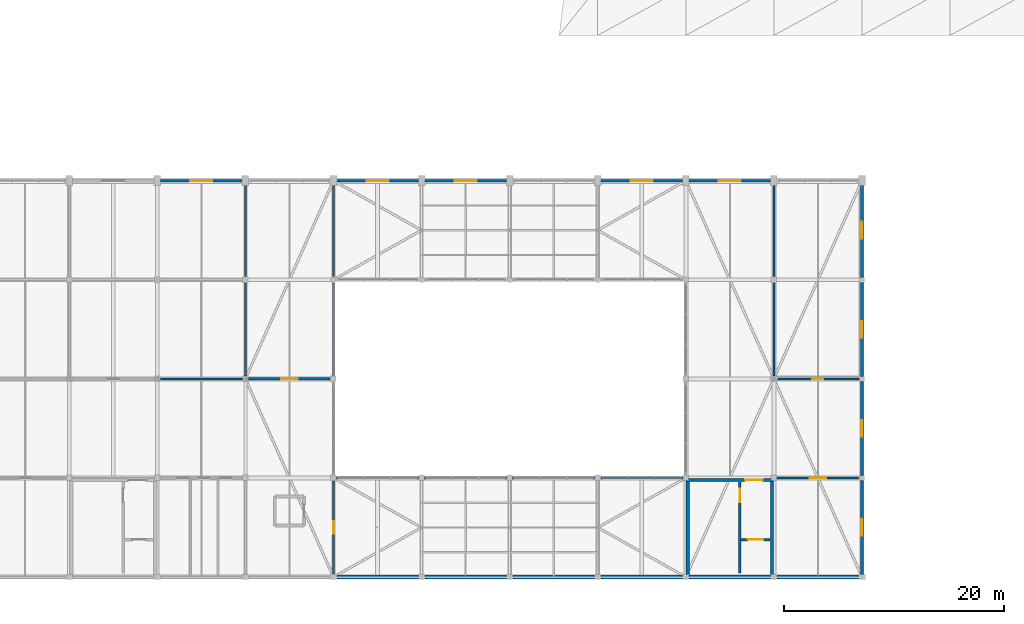
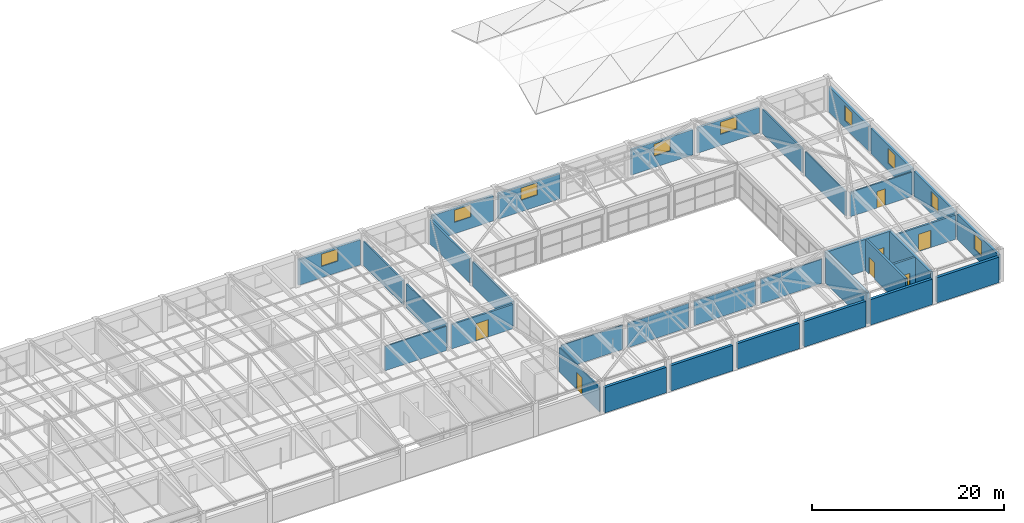
# One storey, part 55 of 65: 35 walls, 9 windows, 7 doors, 16 openings.
"""IFC4 building model written with IfcOpenShell, lengths in metres."""

import ifcopenshell
import ifcopenshell.guid

model = None  # the IFC model being written
_history = None  # IfcOwnerHistory: only IFC2X3 demands one
_inside = {}  # id of a spatial element -> (the spatial element, [elements in it])
_under = {}  # id of a project, library or spatial element -> (it, [spatial elements below it])
_declared = {}  # id of a project -> (the project, [libraries it declares])
_typed = {}  # id of a type object -> (the type object, [elements of that type])
_made_of = {}  # id of a material, layer set ... -> (it, [elements and type objects made of it])


def new_model(schema):
    """Start an empty IFC model of exactly this schema.

    Asked for "IFC4X3", IfcOpenShell would pick the latest addendum, in which some entities
    have other attributes; the version numbers below select the first issue.
    IFC2X3 requires an IfcOwnerHistory on every rooted entity: one is made here for all.
    """
    global model, _history
    if schema == "IFC4X3":
        model = ifcopenshell.file(schema_version=(4, 3, 0, 0))
    else:
        model = ifcopenshell.file(schema=schema)
    _inside.clear()
    _under.clear()
    _declared.clear()
    _typed.clear()
    _made_of.clear()
    _history = None
    if model.schema == "IFC2X3":
        org = make("IfcOrganization", Name="unknown")
        user = make(
            "IfcPersonAndOrganization",
            ThePerson=make("IfcPerson", FamilyName="unknown"),
            TheOrganization=org,
        )
        app = make(
            "IfcApplication",
            ApplicationDeveloper=org,
            Version="unknown",
            ApplicationFullName="unknown",
            ApplicationIdentifier="unknown",
        )
        _history = make(
            "IfcOwnerHistory",
            OwningUser=user,
            OwningApplication=app,
            ChangeAction="ADDED",
            CreationDate=0,
        )
    return model


def make(cls, **values):
    """One entity of the class cls with the attributes given. An attribute that is None is left unset."""
    return model.create_entity(
        cls, **{name: value for name, value in values.items() if value is not None}
    )


def rooted(cls, **values):
    """An entity with a GlobalId (a new one), such as an element, a storey or a relation."""
    return make(cls, GlobalId=ifcopenshell.guid.new(), OwnerHistory=_history, **values)


def si_unit(unit_type, name, prefix=None):
    """IfcSIUnit, for example si_unit("LENGTHUNIT", "METRE", prefix="MILLI")."""
    return make("IfcSIUnit", UnitType=unit_type, Prefix=prefix, Name=name)


def assignment(units):
    """IfcUnitAssignment: the units of a project."""
    return None if units is None else make("IfcUnitAssignment", Units=units)


def point(xyz):
    """IfcCartesianPoint."""
    return None if xyz is None else make("IfcCartesianPoint", Coordinates=xyz)


def direction(xyz):
    """IfcDirection."""
    return None if xyz is None else make("IfcDirection", DirectionRatios=xyz)


def frame(location, z_axis=None, x_axis=None):
    """IfcAxis2Placement3D, a coordinate frame: its origin and axes. An axis left out is left unset."""
    return make(
        "IfcAxis2Placement3D",
        Location=point(location),
        Axis=direction(z_axis),
        RefDirection=direction(x_axis),
    )


def frame_2d(location, x_axis=None):
    """IfcAxis2Placement2D, a coordinate frame in the plane: its origin and x axis."""
    return make(
        "IfcAxis2Placement2D", Location=point(location), RefDirection=direction(x_axis)
    )


def origin():
    """The frame at (0, 0, 0) with its axes left unset."""
    return frame((0.0, 0.0, 0.0))


def place(relative_to, where):
    """IfcLocalPlacement: puts the frame where relative to a parent placement (None: the world)."""
    return make(
        "IfcLocalPlacement", PlacementRelTo=relative_to, RelativePlacement=where
    )


def context(
    kind, dimensions, precision=None, world=None, true_north=None, identifier=None
):
    """IfcGeometricRepresentationContext, for example the 3D "Model" context."""
    return make(
        "IfcGeometricRepresentationContext",
        ContextIdentifier=identifier,
        ContextType=kind,
        CoordinateSpaceDimension=dimensions,
        Precision=precision,
        WorldCoordinateSystem=world,
        TrueNorth=true_north,
    )


def subcontext(parent, identifier, kind, view, scale=None):
    """IfcGeometricRepresentationSubContext, for example "Body" below "Model"."""
    return make(
        "IfcGeometricRepresentationSubContext",
        ContextIdentifier=identifier,
        ContextType=kind,
        ParentContext=parent,
        TargetScale=scale,
        TargetView=view,
    )


def project(units=None, contexts=None):
    """IfcProject with its units and contexts."""
    return rooted(
        "IfcProject",
        Name="project",
        RepresentationContexts=contexts,
        UnitsInContext=assignment(units),
    )


def spatial(cls, under=None, at=None, **own):
    """A site, building, storey or space (cls), placed at a placement, below another one or the project."""
    s = rooted(cls, ObjectPlacement=at, **own)
    if under is not None:
        _under.setdefault(under.id(), (under, []))[1].append(s)
    return s


def profile(cls, at=None, kind="AREA", **sizes):
    """A parametric profile (cls). Its sizes go by their IFC names, for example OverallWidth=200.0."""
    return make(cls, ProfileType=kind, Position=at, **sizes)


def rectangle(**sizes):
    """IfcRectangleProfileDef."""
    return profile("IfcRectangleProfileDef", **sizes)


def extrude(swept, where, along, depth):
    """IfcExtrudedAreaSolid: the profile swept, set in the frame where, extruded along a direction by depth."""
    return make(
        "IfcExtrudedAreaSolid",
        SweptArea=swept,
        Position=where,
        ExtrudedDirection=direction(along),
        Depth=depth,
    )


def shape(context_of_items, identifier, shape_type, items):
    """IfcShapeRepresentation: the items that make up one representation, for example the "Body"."""
    return make(
        "IfcShapeRepresentation",
        ContextOfItems=context_of_items,
        RepresentationIdentifier=identifier,
        RepresentationType=shape_type,
        Items=items,
    )


def material(Name=None, Category=None):
    """IfcMaterial."""
    return make("IfcMaterial", Name=Name, Category=Category)


def layer(
    of_material, thickness, ventilated=None, Name=None, Category=None, Priority=None
):
    """IfcMaterialLayer: one layer of a wall or slab, of a material (None: an air gap)."""
    return make(
        "IfcMaterialLayer",
        Material=of_material,
        LayerThickness=thickness,
        IsVentilated=ventilated,
        Name=Name,
        Category=Category,
        Priority=Priority,
    )


def layer_set(layers, Name=None):
    """IfcMaterialLayerSet."""
    return make("IfcMaterialLayerSet", MaterialLayers=layers, LayerSetName=Name)


def made_of(thing, what):
    """Note that an element or type object is made of a material, layer set ...; save() writes the relation."""
    if what is not None:
        _made_of.setdefault(what.id(), (what, []))[1].append(thing)
    return thing


def type_object(cls, material=None, **own):
    """A type object (cls), such as IfcWallType, which elements share."""
    return made_of(rooted(cls, **own), material)


def element(
    cls,
    number,
    at=None,
    inside=None,
    cuts=None,
    type_object=None,
    material=None,
    context=None,
    identifier="Body",
    shape_type=None,
    held_by="IfcProductDefinitionShape",
    body=None,
    shapes=None,
    **own,
):
    """One element of the class cls, such as IfcWall. Its Tag is "e" and its number.

    at: its placement. inside: the storey or other place that contains it. cuts: it is an
    opening in that element (IfcRelVoidsElement). A single representation is given by context,
    identifier, shape_type and body (its items); several are given by shapes. held_by: the class
    of the entity that holds the representations. save() writes the other relations.
    """
    e = rooted(cls, Tag="e%d" % number, ObjectPlacement=at, **own)
    if body is not None:
        shapes = [shape(context, identifier, shape_type, body)]
    if shapes is not None:
        e.Representation = make(held_by, Representations=shapes)
    if inside is not None:
        _inside.setdefault(inside.id(), (inside, []))[1].append(e)
    if cuts is not None:
        rooted(
            "IfcRelVoidsElement", RelatingBuildingElement=cuts, RelatedOpeningElement=e
        )
    if type_object is not None:
        _typed.setdefault(type_object.id(), (type_object, []))[1].append(e)
    return made_of(e, material)


def fill(opening, filler):
    """IfcRelFillsElement: the door or window that sits in an opening."""
    return rooted(
        "IfcRelFillsElement",
        RelatingOpeningElement=opening,
        RelatedBuildingElement=filler,
    )


def aggregate(whole, parts):
    """IfcRelAggregates: a whole, such as a stair, and the parts it consists of."""
    return rooted("IfcRelAggregates", RelatingObject=whole, RelatedObjects=parts)


def save(model, path):
    """Write the relations noted so far, then the file.

    IfcRelAggregates (storeys below a building ...), IfcRelContainedInSpatialStructure (elements
    in a storey), IfcRelDefinesByType, IfcRelAssociatesMaterial and IfcRelDeclares: one each for
    every whole, place, type object, material and project.
    """
    for whole, parts in _under.values():
        aggregate(whole, parts)
    for where, things in _inside.values():
        rooted(
            "IfcRelContainedInSpatialStructure",
            RelatedElements=things,
            RelatingStructure=where,
        )
    for kind, things in _typed.values():
        rooted("IfcRelDefinesByType", RelatedObjects=things, RelatingType=kind)
    for what, things in _made_of.values():
        rooted("IfcRelAssociatesMaterial", RelatedObjects=things, RelatingMaterial=what)
    for by, libraries in _declared.values():
        rooted("IfcRelDeclares", RelatingContext=by, RelatedDefinitions=libraries)
    model.write(path)


model = new_model("IFC4")

# Units and contexts
model_context = context("Model", 3, precision=1e-05, world=origin(), true_north=direction((0.0, 1.0)))
body_context = subcontext(model_context, "Body", "Model", "MODEL_VIEW")
ifc_project = project(units=[si_unit("LENGTHUNIT", "METRE"), si_unit("AREAUNIT", "SQUARE_METRE"), si_unit("VOLUMEUNIT", "CUBIC_METRE"), si_unit("PLANEANGLEUNIT", "RADIAN"), si_unit("MASSUNIT", "GRAM", prefix="KILO")], contexts=[model_context])

# Site, building, storey
site_placement = place(None, origin())
site = spatial("IfcSite", under=ifc_project, at=site_placement, CompositionType="ELEMENT")
building_placement = place(site_placement, origin())
building = spatial("IfcBuilding", under=site, at=building_placement, Name="Varnabhumi Central Station", CompositionType="ELEMENT")
storey_placement = place(building_placement, frame((0.0, 0.0, 24.60009765625)))
storey = spatial("IfcBuildingStorey", under=building, at=storey_placement, Name="L05", CompositionType="ELEMENT", Elevation=24.60009765625)

# Wall, opening, door
ifc_material_1 = material(Name="Autoclaved aerated blockwork masonry", Category="masonry")
ifc_layer_1 = layer(ifc_material_1, 0.219970703125, Name="Autoclaved aerated blockwork masonry", Category="masonry")
ifc_layer_set_1 = layer_set([ifc_layer_1], Name="Autoclaved aerated blockwork masonry")
wall_type_1 = type_object("IfcWallType", Name="WAL-COMP-AAC-220", PredefinedType="SOLIDWALL", material=ifc_layer_set_1)
wall_1_placement = place(storey_placement, frame((104.300048828125, 18.0, 0.0), z_axis=(0.0, 0.0, 1.0), x_axis=(1.0, 0.0, 0.0)))
wall_1 = element("IfcWall", 1, at=wall_1_placement, inside=storey, type_object=wall_type_1, Name="Rooftop Solar Inverter and BMS Control Room Corridor Partition 1", PredefinedType="SOLIDWALL", context=body_context, shape_type="SweptSolid", body=[
    extrude(rectangle(XDim=7.39990234375, YDim=0.219970703125, at=frame_2d((3.699951171875, 0.0))), origin(), (0.0, 0.0, 1.0), 3.099853515625),
])
opening_1_placement = place(wall_1_placement, frame((2.949951171875, 0.0, 0.0)))
opening_1 = element("IfcOpeningElement", 2, at=opening_1_placement, cuts=wall_1, Name="Opening FD-PLT", PredefinedType="OPENING", context=body_context, shape_type="SweptSolid", body=[
    extrude(rectangle(XDim=1.5, YDim=2.199951171875, at=frame_2d((0.75, 1.10009765625))), frame((0.0, 0.119873046875, 0.0), z_axis=(0.0, -1.0, 0.0), x_axis=(1.0, 0.0, 0.0)), (0.0, 0.0, 1.0), 0.239990234375),
])
ifc_material_2 = material(Name="Stainless steel Grade 316", Category="steel")
door_type_1 = type_object("IfcDoorType", Name="DR-PLANT-1500", OperationType="NOTDEFINED", PredefinedType="DOOR", material=ifc_material_2)
door_1_placement = place(opening_1_placement, frame((1.5, 0.0, 0.0), z_axis=(0.0, 0.0, 1.0), x_axis=(-1.0, 0.0, 0.0)))
door_1 = element("IfcDoor", 3, at=door_1_placement, inside=storey, type_object=door_type_1, Name="Rooftop Solar Inverter and BMS Control Room Door 1", OperationType="SINGLE_SWING_LEFT", OverallHeight=2.199951171875, OverallWidth=1.5, PredefinedType="DOOR", context=body_context, shape_type="SweptSolid", body=[
    extrude(rectangle(XDim=1.5, YDim=2.199951171875, at=frame_2d((0.75, 1.10009765625))), frame((0.0, 0.02490234375, 0.0), z_axis=(0.0, -1.0, 0.0), x_axis=(1.0, 0.0, 0.0)), (0.0, 0.0, 1.0), 0.050048828125),
])
fill(opening_1, door_1)

# Walls
for number, where, z_axis, x_axis, name in (
    (4, (112.0, 18.300048828125, 0.0), (0.0, 0.0, 1.0), (0.0, 1.0, 0.0), "Rooftop Solar Inverter and BMS Control Room W Partition 1"),
    (5, (112.0, 27.300048828125, 0.0), (0.0, 0.0, 1.0), (0.0, 1.0, 0.0), "Rooftop Solar Inverter and BMS Control Room W Partition 2"),
):
    element("IfcWall", number, at=place(storey_placement, frame(where, z_axis=z_axis, x_axis=x_axis)), inside=storey, type_object=wall_type_1, Name=name, PredefinedType="SOLIDWALL", context=body_context, shape_type="SweptSolid", body=[
        extrude(rectangle(XDim=8.39990234375, YDim=0.219970703125, at=frame_2d((4.199951171875, 0.0))), origin(), (0.0, 0.0, 1.0), 3.099853515625),
    ])

# Wall, opening, door
wall_2_placement = place(storey_placement, frame((152.300048828125, 9.0, 0.0), z_axis=(0.0, 0.0, 1.0), x_axis=(1.0, 0.0, 0.0)))
wall_2 = element("IfcWall", 6, at=wall_2_placement, inside=storey, type_object=wall_type_1, Name="Central Water-Cooled Chiller Plant Room Corridor Partition 1", PredefinedType="SOLIDWALL", context=body_context, shape_type="SweptSolid", body=[
    extrude(rectangle(XDim=7.39990234375, YDim=0.219970703125, at=frame_2d((3.699951171875, 0.0))), origin(), (0.0, 0.0, 1.0), 3.099853515625),
])
opening_2_placement = place(wall_2_placement, frame((2.949951171875, 0.0, 0.0)))
opening_2 = element("IfcOpeningElement", 7, at=opening_2_placement, cuts=wall_2, Name="Opening FD-PLT", PredefinedType="OPENING", context=body_context, shape_type="SweptSolid", body=[
    extrude(rectangle(XDim=1.5, YDim=2.199951171875, at=frame_2d((0.75, 1.10009765625))), frame((0.0, 0.119873046875, 0.0), z_axis=(0.0, -1.0, 0.0), x_axis=(1.0, 0.0, 0.0)), (0.0, 0.0, 1.0), 0.239990234375),
])
door_2_placement = place(opening_2_placement, origin())
door_2 = element("IfcDoor", 8, at=door_2_placement, inside=storey, type_object=door_type_1, Name="Central Water-Cooled Chiller Plant Room Door 1", OperationType="SINGLE_SWING_RIGHT", OverallHeight=2.199951171875, OverallWidth=1.5, PredefinedType="DOOR", context=body_context, shape_type="SweptSolid", body=[
    extrude(rectangle(XDim=1.5, YDim=2.199951171875, at=frame_2d((0.75, 1.10009765625))), frame((0.0, 0.02490234375, 0.0), z_axis=(0.0, -1.0, 0.0), x_axis=(1.0, 0.0, 0.0)), (0.0, 0.0, 1.0), 0.050048828125),
])
fill(opening_2, door_2)

# Walls
ifc_material_3 = material(Name="Concrete M40", Category="concrete")
ifc_layer_2 = layer(ifc_material_3, 0.300048828125, Name="Concrete M40", Category="concrete")
ifc_layer_set_2 = layer_set([ifc_layer_2], Name="Concrete M40")
wall_type_2 = type_object("IfcWallType", Name="WAL-CORE-RC-300", PredefinedType="SHEAR", material=ifc_layer_set_2)
for number, where, z_axis, x_axis, name in (
    (9, (144.179931640625, 0.179931640625, 0.0), (0.0, 0.0, 1.0), (0.0, 1.0, 0.0), "SC3 L05 West Shear Wall"),
    (10, (151.820068359375, 0.179931640625, 0.0), (0.0, 0.0, 1.0), (0.0, 1.0, 0.0), "SC3 L05 East Shear Wall"),
):
    element("IfcWall", number, at=place(storey_placement, frame(where, z_axis=z_axis, x_axis=x_axis)), inside=storey, type_object=wall_type_2, Name=name, PredefinedType="SHEAR", context=body_context, shape_type="SweptSolid", body=[
        extrude(rectangle(XDim=8.64013671875, YDim=0.300048828125, at=frame_2d((4.320068359375, 0.0))), origin(), (0.0, 0.0, 1.0), 3.97998046875),
    ])

# Wall, opening, door
wall_3_placement = place(storey_placement, frame((144.030029296875, 8.820068359375, 0.0), z_axis=(0.0, 0.0, 1.0), x_axis=(1.0, 0.0, 0.0)))
wall_3 = element("IfcWall", 11, at=wall_3_placement, inside=storey, type_object=wall_type_2, Name="SC3 L05 Corridor Shear Wall", PredefinedType="SHEAR", context=body_context, shape_type="SweptSolid", body=[
    extrude(rectangle(XDim=7.93994140625, YDim=0.300048828125, at=frame_2d((3.969970703125, 0.0))), origin(), (0.0, 0.0, 1.0), 3.97998046875),
])
opening_3_placement = place(wall_3_placement, frame((5.35009765625, 0.0, 0.0)))
opening_3 = element("IfcOpeningElement", 12, at=opening_3_placement, cuts=wall_3, Name="Opening FD-60D", PredefinedType="OPENING", context=body_context, shape_type="SweptSolid", body=[
    extrude(rectangle(XDim=1.60009765625, YDim=2.14990234375, at=frame_2d((0.800048828125, 1.074951171875))), frame((0.0, 0.159912109375, 0.0), z_axis=(0.0, -1.0, 0.0), x_axis=(1.0, 0.0, 0.0)), (0.0, 0.0, 1.0), 0.320068359375),
])
ifc_material_4 = material(Name="Intumescent-treated hardwood timber", Category="wood")
door_type_2 = type_object("IfcDoorType", Name="DR-FIRE-60-1600", OperationType="NOTDEFINED", PredefinedType="DOOR", material=ifc_material_4)
door_3_placement = place(opening_3_placement, origin())
door_3 = element("IfcDoor", 13, at=door_3_placement, inside=storey, type_object=door_type_2, Name="SC3 L05 Lobby Fire Door", OperationType="DOUBLE_DOOR_SINGLE_SWING", OverallHeight=2.14990234375, OverallWidth=1.60009765625, PredefinedType="DOOR", context=body_context, shape_type="SweptSolid", body=[
    extrude(rectangle(XDim=1.60009765625, YDim=2.14990234375, at=frame_2d((0.800048828125, 1.074951171875))), frame((0.0, 0.02490234375, 0.0), z_axis=(0.0, -1.0, 0.0), x_axis=(1.0, 0.0, 0.0)), (0.0, 0.0, 1.0), 0.050048828125),
])
fill(opening_3, door_3)

# Wall, opening, window
ifc_layer_3 = layer(ifc_material_1, 0.260009765625, Name="Autoclaved aerated blockwork masonry", Category="masonry")
ifc_layer_set_3 = layer_set([ifc_layer_3], Name="Autoclaved aerated blockwork masonry")
wall_type_3 = type_object("IfcWallType", Name="WAL-EXT-STUCCO-260", PredefinedType="SOLIDWALL", material=ifc_layer_set_3)
wall_4_placement = place(storey_placement, frame((96.294921875, 36.0, 0.0), z_axis=(0.0, 0.0, 1.0), x_axis=(1.0, 0.0, 0.0)))
wall_4 = element("IfcWall", 14, at=wall_4_placement, inside=storey, type_object=wall_type_3, Name="South Spine Wall L05-9", PredefinedType="SOLIDWALL", context=body_context, shape_type="SweptSolid", body=[
    extrude(rectangle(XDim=7.41015625, YDim=0.260009765625, at=frame_2d((3.705078125, 0.0))), origin(), (0.0, 0.0, 1.0), 3.239990234375),
])
opening_4_placement = place(wall_4_placement, frame((2.705078125, 0.0, 1.449951171875)))
opening_4 = element("IfcOpeningElement", 15, at=opening_4_placement, cuts=wall_4, Name="Opening W-06", PredefinedType="OPENING", context=body_context, shape_type="SweptSolid", body=[
    extrude(rectangle(XDim=2.0, YDim=1.550048828125, at=frame_2d((1.0, 0.77490234375))), frame((0.0, 0.139892578125, 0.0), z_axis=(0.0, -1.0, 0.0), x_axis=(1.0, 0.0, 0.0)), (0.0, 0.0, 1.0), 0.280029296875),
])
ifc_material_5 = material(Name="Laminated low-E double glazing", Category="glass")
window_type_1 = type_object("IfcWindowType", Name="WIN-OPS-2000x1900", PartitioningType="DOUBLE_PANEL_VERTICAL", PredefinedType="WINDOW", material=ifc_material_5)
window_1_placement = place(opening_4_placement, origin())
window_1 = element("IfcWindow", 16, at=window_1_placement, inside=storey, type_object=window_type_1, Name="South Spine Overlook Window L05-9", OverallHeight=1.550048828125, OverallWidth=2.0, PartitioningType="SINGLE_PANEL", PredefinedType="WINDOW", context=body_context, shape_type="SweptSolid", body=[
    extrude(rectangle(XDim=2.0, YDim=1.550048828125, at=frame_2d((1.0, 0.77490234375))), frame((0.0, 0.030029296875, 0.0), z_axis=(0.0, -1.0, 0.0), x_axis=(1.0, 0.0, 0.0)), (0.0, 0.0, 1.0), 0.06005859375),
])
fill(opening_4, window_1)

wall_5_placement = place(storey_placement, frame((112.294921875, 36.0, 0.0), z_axis=(0.0, 0.0, 1.0), x_axis=(1.0, 0.0, 0.0)))
wall_5 = element("IfcWall", 17, at=wall_5_placement, inside=storey, type_object=wall_type_3, Name="South Spine Wall L05-11", PredefinedType="SOLIDWALL", context=body_context, shape_type="SweptSolid", body=[
    extrude(rectangle(XDim=7.41015625, YDim=0.260009765625, at=frame_2d((3.705078125, 0.0))), origin(), (0.0, 0.0, 1.0), 3.239990234375),
])
opening_5_placement = place(wall_5_placement, frame((2.705078125, 0.0, 1.449951171875)))
opening_5 = element("IfcOpeningElement", 18, at=opening_5_placement, cuts=wall_5, Name="Opening W-06", PredefinedType="OPENING", context=body_context, shape_type="SweptSolid", body=[
    extrude(rectangle(XDim=2.0, YDim=1.550048828125, at=frame_2d((1.0, 0.77490234375))), frame((0.0, 0.139892578125, 0.0), z_axis=(0.0, -1.0, 0.0), x_axis=(1.0, 0.0, 0.0)), (0.0, 0.0, 1.0), 0.280029296875),
])
window_2_placement = place(opening_5_placement, origin())
window_2 = element("IfcWindow", 19, at=window_2_placement, inside=storey, type_object=window_type_1, Name="South Spine Overlook Window L05-11", OverallHeight=1.550048828125, OverallWidth=2.0, PartitioningType="SINGLE_PANEL", PredefinedType="WINDOW", context=body_context, shape_type="SweptSolid", body=[
    extrude(rectangle(XDim=2.0, YDim=1.550048828125, at=frame_2d((1.0, 0.77490234375))), frame((0.0, 0.030029296875, 0.0), z_axis=(0.0, -1.0, 0.0), x_axis=(1.0, 0.0, 0.0)), (0.0, 0.0, 1.0), 0.06005859375),
])
fill(opening_5, window_2)

wall_6_placement = place(storey_placement, frame((120.294921875, 36.0, 0.0), z_axis=(0.0, 0.0, 1.0), x_axis=(1.0, 0.0, 0.0)))
wall_6 = element("IfcWall", 20, at=wall_6_placement, inside=storey, type_object=wall_type_3, Name="South Spine Wall L05-12", PredefinedType="SOLIDWALL", context=body_context, shape_type="SweptSolid", body=[
    extrude(rectangle(XDim=7.41015625, YDim=0.260009765625, at=frame_2d((3.705078125, 0.0))), origin(), (0.0, 0.0, 1.0), 3.239990234375),
])
opening_6_placement = place(wall_6_placement, frame((2.705078125, 0.0, 1.449951171875)))
opening_6 = element("IfcOpeningElement", 21, at=opening_6_placement, cuts=wall_6, Name="Opening W-06", PredefinedType="OPENING", context=body_context, shape_type="SweptSolid", body=[
    extrude(rectangle(XDim=2.0, YDim=1.550048828125, at=frame_2d((1.0, 0.77490234375))), frame((0.0, 0.139892578125, 0.0), z_axis=(0.0, -1.0, 0.0), x_axis=(1.0, 0.0, 0.0)), (0.0, 0.0, 1.0), 0.280029296875),
])
window_3_placement = place(opening_6_placement, origin())
window_3 = element("IfcWindow", 22, at=window_3_placement, inside=storey, type_object=window_type_1, Name="South Spine Overlook Window L05-12", OverallHeight=1.550048828125, OverallWidth=2.0, PartitioningType="SINGLE_PANEL", PredefinedType="WINDOW", context=body_context, shape_type="SweptSolid", body=[
    extrude(rectangle(XDim=2.0, YDim=1.550048828125, at=frame_2d((1.0, 0.77490234375))), frame((0.0, 0.030029296875, 0.0), z_axis=(0.0, -1.0, 0.0), x_axis=(1.0, 0.0, 0.0)), (0.0, 0.0, 1.0), 0.06005859375),
])
fill(opening_6, window_3)

wall_7_placement = place(storey_placement, frame((136.294921875, 36.0, 0.0), z_axis=(0.0, 0.0, 1.0), x_axis=(1.0, 0.0, 0.0)))
wall_7 = element("IfcWall", 23, at=wall_7_placement, inside=storey, type_object=wall_type_3, Name="South Spine Wall L05-14", PredefinedType="SOLIDWALL", context=body_context, shape_type="SweptSolid", body=[
    extrude(rectangle(XDim=7.41015625, YDim=0.260009765625, at=frame_2d((3.705078125, 0.0))), origin(), (0.0, 0.0, 1.0), 3.239990234375),
])
opening_7_placement = place(wall_7_placement, frame((2.705078125, 0.0, 1.449951171875)))
opening_7 = element("IfcOpeningElement", 24, at=opening_7_placement, cuts=wall_7, Name="Opening W-06", PredefinedType="OPENING", context=body_context, shape_type="SweptSolid", body=[
    extrude(rectangle(XDim=2.0, YDim=1.550048828125, at=frame_2d((1.0, 0.77490234375))), frame((0.0, 0.139892578125, 0.0), z_axis=(0.0, -1.0, 0.0), x_axis=(1.0, 0.0, 0.0)), (0.0, 0.0, 1.0), 0.280029296875),
])
window_4_placement = place(opening_7_placement, origin())
window_4 = element("IfcWindow", 25, at=window_4_placement, inside=storey, type_object=window_type_1, Name="South Spine Overlook Window L05-14", OverallHeight=1.550048828125, OverallWidth=2.0, PartitioningType="SINGLE_PANEL", PredefinedType="WINDOW", context=body_context, shape_type="SweptSolid", body=[
    extrude(rectangle(XDim=2.0, YDim=1.550048828125, at=frame_2d((1.0, 0.77490234375))), frame((0.0, 0.030029296875, 0.0), z_axis=(0.0, -1.0, 0.0), x_axis=(1.0, 0.0, 0.0)), (0.0, 0.0, 1.0), 0.06005859375),
])
fill(opening_7, window_4)

wall_8_placement = place(storey_placement, frame((144.294921875, 36.0, 0.0), z_axis=(0.0, 0.0, 1.0), x_axis=(1.0, 0.0, 0.0)))
wall_8 = element("IfcWall", 26, at=wall_8_placement, inside=storey, type_object=wall_type_3, Name="South Spine Wall L05-15", PredefinedType="SOLIDWALL", context=body_context, shape_type="SweptSolid", body=[
    extrude(rectangle(XDim=7.41015625, YDim=0.260009765625, at=frame_2d((3.705078125, 0.0))), origin(), (0.0, 0.0, 1.0), 3.239990234375),
])
opening_8_placement = place(wall_8_placement, frame((2.705078125, 0.0, 1.449951171875)))
opening_8 = element("IfcOpeningElement", 27, at=opening_8_placement, cuts=wall_8, Name="Opening W-06", PredefinedType="OPENING", context=body_context, shape_type="SweptSolid", body=[
    extrude(rectangle(XDim=2.0, YDim=1.550048828125, at=frame_2d((1.0, 0.77490234375))), frame((0.0, 0.139892578125, 0.0), z_axis=(0.0, -1.0, 0.0), x_axis=(1.0, 0.0, 0.0)), (0.0, 0.0, 1.0), 0.280029296875),
])
window_5_placement = place(opening_8_placement, origin())
window_5 = element("IfcWindow", 28, at=window_5_placement, inside=storey, type_object=window_type_1, Name="South Spine Overlook Window L05-15", OverallHeight=1.550048828125, OverallWidth=2.0, PartitioningType="SINGLE_PANEL", PredefinedType="WINDOW", context=body_context, shape_type="SweptSolid", body=[
    extrude(rectangle(XDim=2.0, YDim=1.550048828125, at=frame_2d((1.0, 0.77490234375))), frame((0.0, 0.030029296875, 0.0), z_axis=(0.0, -1.0, 0.0), x_axis=(1.0, 0.0, 0.0)), (0.0, 0.0, 1.0), 0.06005859375),
])
fill(opening_8, window_5)

wall_9_placement = place(storey_placement, frame((160.0, 0.219970703125, 0.0), z_axis=(0.0, 0.0, 1.0), x_axis=(0.0, 1.0, 0.0)))
wall_9 = element("IfcWall", 29, at=wall_9_placement, inside=storey, type_object=wall_type_3, Name="South Wing W End Wall L05-1", PredefinedType="SOLIDWALL", context=body_context, shape_type="SweptSolid", body=[
    extrude(rectangle(XDim=8.56005859375, YDim=0.260009765625, at=frame_2d((4.280029296875, 0.0))), origin(), (0.0, 0.0, 1.0), 3.239990234375),
])
opening_9_placement = place(wall_9_placement, frame((3.530029296875, 0.0, 0.949951171875)))
opening_9 = element("IfcOpeningElement", 30, at=opening_9_placement, cuts=wall_9, Name="Opening W-07", PredefinedType="OPENING", context=body_context, shape_type="SweptSolid", body=[
    extrude(rectangle(XDim=1.5, YDim=1.89990234375, at=frame_2d((0.75, 0.949951171875))), frame((0.0, 0.139892578125, 0.0), z_axis=(0.0, -1.0, 0.0), x_axis=(1.0, 0.0, 0.0)), (0.0, 0.0, 1.0), 0.280029296875),
])
window_type_2 = type_object("IfcWindowType", Name="WIN-OPS-1500x1900", PartitioningType="SINGLE_PANEL", PredefinedType="WINDOW", material=ifc_material_5)
window_6_placement = place(opening_9_placement, origin())
window_6 = element("IfcWindow", 31, at=window_6_placement, inside=storey, type_object=window_type_2, Name="South W Window L05-1", OverallHeight=1.89990234375, OverallWidth=1.5, PartitioningType="SINGLE_PANEL", PredefinedType="WINDOW", context=body_context, shape_type="SweptSolid", body=[
    extrude(rectangle(XDim=1.5, YDim=1.89990234375, at=frame_2d((0.75, 0.949951171875))), frame((0.0, 0.030029296875, 0.0), z_axis=(0.0, -1.0, 0.0), x_axis=(1.0, 0.0, 0.0)), (0.0, 0.0, 1.0), 0.06005859375),
])
fill(opening_9, window_6)

wall_10_placement = place(storey_placement, frame((160.0, 9.219970703125, 0.0), z_axis=(0.0, 0.0, 1.0), x_axis=(0.0, 1.0, 0.0)))
wall_10 = element("IfcWall", 32, at=wall_10_placement, inside=storey, type_object=wall_type_3, Name="South Wing W End Wall L05-2", PredefinedType="SOLIDWALL", context=body_context, shape_type="SweptSolid", body=[
    extrude(rectangle(XDim=8.56005859375, YDim=0.260009765625, at=frame_2d((4.280029296875, 0.0))), origin(), (0.0, 0.0, 1.0), 3.239990234375),
])
opening_10_placement = place(wall_10_placement, frame((3.530029296875, 0.0, 0.949951171875)))
opening_10 = element("IfcOpeningElement", 33, at=opening_10_placement, cuts=wall_10, Name="Opening W-07", PredefinedType="OPENING", context=body_context, shape_type="SweptSolid", body=[
    extrude(rectangle(XDim=1.5, YDim=1.89990234375, at=frame_2d((0.75, 0.949951171875))), frame((0.0, 0.139892578125, 0.0), z_axis=(0.0, -1.0, 0.0), x_axis=(1.0, 0.0, 0.0)), (0.0, 0.0, 1.0), 0.280029296875),
])
window_7_placement = place(opening_10_placement, origin())
window_7 = element("IfcWindow", 34, at=window_7_placement, inside=storey, type_object=window_type_2, Name="South W Window L05-2", OverallHeight=1.89990234375, OverallWidth=1.5, PartitioningType="SINGLE_PANEL", PredefinedType="WINDOW", context=body_context, shape_type="SweptSolid", body=[
    extrude(rectangle(XDim=1.5, YDim=1.89990234375, at=frame_2d((0.75, 0.949951171875))), frame((0.0, 0.030029296875, 0.0), z_axis=(0.0, -1.0, 0.0), x_axis=(1.0, 0.0, 0.0)), (0.0, 0.0, 1.0), 0.06005859375),
])
fill(opening_10, window_7)

wall_11_placement = place(storey_placement, frame((160.0, 18.219970703125, 0.0), z_axis=(0.0, 0.0, 1.0), x_axis=(0.0, 1.0, 0.0)))
wall_11 = element("IfcWall", 35, at=wall_11_placement, inside=storey, type_object=wall_type_3, Name="South Wing W End Wall L05-3", PredefinedType="SOLIDWALL", context=body_context, shape_type="SweptSolid", body=[
    extrude(rectangle(XDim=8.56005859375, YDim=0.260009765625, at=frame_2d((4.280029296875, 0.0))), origin(), (0.0, 0.0, 1.0), 3.239990234375),
])
opening_11_placement = place(wall_11_placement, frame((3.530029296875, 0.0, 0.949951171875)))
opening_11 = element("IfcOpeningElement", 36, at=opening_11_placement, cuts=wall_11, Name="Opening W-07", PredefinedType="OPENING", context=body_context, shape_type="SweptSolid", body=[
    extrude(rectangle(XDim=1.5, YDim=1.89990234375, at=frame_2d((0.75, 0.949951171875))), frame((0.0, 0.139892578125, 0.0), z_axis=(0.0, -1.0, 0.0), x_axis=(1.0, 0.0, 0.0)), (0.0, 0.0, 1.0), 0.280029296875),
])
window_8_placement = place(opening_11_placement, origin())
window_8 = element("IfcWindow", 37, at=window_8_placement, inside=storey, type_object=window_type_2, Name="South W Window L05-3", OverallHeight=1.89990234375, OverallWidth=1.5, PartitioningType="SINGLE_PANEL", PredefinedType="WINDOW", context=body_context, shape_type="SweptSolid", body=[
    extrude(rectangle(XDim=1.5, YDim=1.89990234375, at=frame_2d((0.75, 0.949951171875))), frame((0.0, 0.030029296875, 0.0), z_axis=(0.0, -1.0, 0.0), x_axis=(1.0, 0.0, 0.0)), (0.0, 0.0, 1.0), 0.06005859375),
])
fill(opening_11, window_8)

wall_12_placement = place(storey_placement, frame((160.0, 27.219970703125, 0.0), z_axis=(0.0, 0.0, 1.0), x_axis=(0.0, 1.0, 0.0)))
wall_12 = element("IfcWall", 38, at=wall_12_placement, inside=storey, type_object=wall_type_3, Name="South Wing W End Wall L05-4", PredefinedType="SOLIDWALL", context=body_context, shape_type="SweptSolid", body=[
    extrude(rectangle(XDim=8.380126953125, YDim=0.260009765625, at=frame_2d((4.18994140625, 0.0))), origin(), (0.0, 0.0, 1.0), 3.239990234375),
])
opening_12_placement = place(wall_12_placement, frame((3.530029296875, 0.0, 0.949951171875)))
opening_12 = element("IfcOpeningElement", 39, at=opening_12_placement, cuts=wall_12, Name="Opening W-07", PredefinedType="OPENING", context=body_context, shape_type="SweptSolid", body=[
    extrude(rectangle(XDim=1.5, YDim=1.89990234375, at=frame_2d((0.75, 0.949951171875))), frame((0.0, 0.139892578125, 0.0), z_axis=(0.0, -1.0, 0.0), x_axis=(1.0, 0.0, 0.0)), (0.0, 0.0, 1.0), 0.280029296875),
])
window_9_placement = place(opening_12_placement, origin())
window_9 = element("IfcWindow", 40, at=window_9_placement, inside=storey, type_object=window_type_2, Name="South W Window L05-4", OverallHeight=1.89990234375, OverallWidth=1.5, PartitioningType="SINGLE_PANEL", PredefinedType="WINDOW", context=body_context, shape_type="SweptSolid", body=[
    extrude(rectangle(XDim=1.5, YDim=1.89990234375, at=frame_2d((0.75, 0.949951171875))), frame((0.0, 0.030029296875, 0.0), z_axis=(0.0, -1.0, 0.0), x_axis=(1.0, 0.0, 0.0)), (0.0, 0.0, 1.0), 0.06005859375),
])
fill(opening_12, window_9)

# Walls
ifc_layer_4 = layer(ifc_material_1, 0.159912109375, Name="Autoclaved aerated blockwork masonry", Category="masonry")
ifc_layer_set_4 = layer_set([ifc_layer_4], Name="Autoclaved aerated blockwork masonry")
wall_type_4 = type_object("IfcWallType", Name="WAL-PART-AAC-160", PredefinedType="PARTITIONING", material=ifc_layer_set_4)
wall_13_placement = place(storey_placement, frame((96.300048828125, 18.0, 0.0), z_axis=(0.0, 0.0, 1.0), x_axis=(1.0, 0.0, 0.0)))
element("IfcWall", 41, at=wall_13_placement, inside=storey, type_object=wall_type_4, Name="Running Staff Quiet Rest Room Central Corridor Partition 2", PredefinedType="PARTITIONING", context=body_context, shape_type="SweptSolid", body=[
    extrude(rectangle(XDim=7.39990234375, YDim=0.159912109375, at=frame_2d((3.699951171875, 0.0))), origin(), (0.0, 0.0, 1.0), 3.099853515625),
])
for number, where, z_axis, x_axis, name in (
    (42, (104.0, 18.300048828125, 0.0), (0.0, 0.0, 1.0), (0.0, 1.0, 0.0), "Running Staff Quiet Rest Room Central W Partition 1"),
    (43, (104.0, 27.300048828125, 0.0), (0.0, 0.0, 1.0), (0.0, 1.0, 0.0), "Running Staff Quiet Rest Room Central W Partition 2"),
):
    element("IfcWall", number, at=place(storey_placement, frame(where, z_axis=z_axis, x_axis=x_axis)), inside=storey, type_object=wall_type_4, Name=name, PredefinedType="PARTITIONING", context=body_context, shape_type="SweptSolid", body=[
        extrude(rectangle(XDim=8.39990234375, YDim=0.159912109375, at=frame_2d((4.199951171875, 0.0))), origin(), (0.0, 0.0, 1.0), 3.099853515625),
    ])
for number, where, z_axis, x_axis, name in (
    (44, (112.300048828125, 9.0, 0.0), (0.0, 0.0, 1.0), (1.0, 0.0, 0.0), "Female Train Crew Locker and Rest Room Corridor Partition 1"),
    (45, (120.300048828125, 9.0, 0.0), (0.0, 0.0, 1.0), (1.0, 0.0, 0.0), "Female Train Crew Locker and Rest Room Corridor Partition 2"),
    (46, (128.300048828125, 9.0, 0.0), (0.0, 0.0, 1.0), (1.0, 0.0, 0.0), "Female Train Crew Locker and Rest Room Corridor Partition 3"),
    (47, (136.300048828125, 9.0, 0.0), (0.0, 0.0, 1.0), (1.0, 0.0, 0.0), "Female Train Crew Locker and Rest Room Corridor Partition 4"),
):
    element("IfcWall", number, at=place(storey_placement, frame(where, z_axis=z_axis, x_axis=x_axis)), inside=storey, type_object=wall_type_4, Name=name, PredefinedType="PARTITIONING", context=body_context, shape_type="SweptSolid", body=[
        extrude(rectangle(XDim=7.39990234375, YDim=0.159912109375, at=frame_2d((3.699951171875, 0.0))), origin(), (0.0, 0.0, 1.0), 3.099853515625),
    ])

# Wall, opening, door
wall_14_placement = place(storey_placement, frame((112.0, 0.300048828125, 0.0), z_axis=(0.0, 0.0, 1.0), x_axis=(0.0, 1.0, 0.0)))
wall_14 = element("IfcWall", 48, at=wall_14_placement, inside=storey, type_object=wall_type_4, Name="Female Train Crew Locker and Rest Room E Partition 1", PredefinedType="PARTITIONING", context=body_context, shape_type="SweptSolid", body=[
    extrude(rectangle(XDim=8.39990234375, YDim=0.159912109375, at=frame_2d((4.199951171875, 0.0))), origin(), (0.0, 0.0, 1.0), 3.099853515625),
])
opening_13_placement = place(wall_14_placement, frame((3.64990234375, 0.0, 0.0)))
opening_13 = element("IfcOpeningElement", 49, at=opening_13_placement, cuts=wall_14, Name="Opening FD-60", PredefinedType="OPENING", context=body_context, shape_type="SweptSolid", body=[
    extrude(rectangle(XDim=1.10009765625, YDim=2.14990234375, at=frame_2d((0.550048828125, 1.074951171875))), frame((0.0, 0.08984375, 0.0), z_axis=(0.0, -1.0, 0.0), x_axis=(1.0, 0.0, 0.0)), (0.0, 0.0, 1.0), 0.179931640625),
])
door_type_3 = type_object("IfcDoorType", Name="DR-FIRE-60-1100", OperationType="NOTDEFINED", PredefinedType="DOOR", material=ifc_material_4)
door_4_placement = place(opening_13_placement, frame((1.10009765625, 0.0, 0.0), z_axis=(0.0, 0.0, 1.0), x_axis=(-1.0, 0.0, 0.0)))
door_4 = element("IfcDoor", 50, at=door_4_placement, inside=storey, type_object=door_type_3, Name="Female Train Crew Locker and Rest Room Corridor Access Door", OperationType="SINGLE_SWING_RIGHT", OverallHeight=2.14990234375, OverallWidth=1.10009765625, PredefinedType="DOOR", context=body_context, shape_type="SweptSolid", body=[
    extrude(rectangle(XDim=1.10009765625, YDim=2.14990234375, at=frame_2d((0.550048828125, 1.074951171875))), frame((0.0, 0.02490234375, 0.0), z_axis=(0.0, -1.0, 0.0), x_axis=(1.0, 0.0, 0.0)), (0.0, 0.0, 1.0), 0.050048828125),
])
fill(opening_13, door_4)

wall_15_placement = place(storey_placement, frame((152.300048828125, 18.0, 0.0), z_axis=(0.0, 0.0, 1.0), x_axis=(1.0, 0.0, 0.0)))
wall_15 = element("IfcWall", 51, at=wall_15_placement, inside=storey, type_object=wall_type_4, Name="Running Staff Quiet Rest Lounge East Corridor Partition 1", PredefinedType="PARTITIONING", context=body_context, shape_type="SweptSolid", body=[
    extrude(rectangle(XDim=7.39990234375, YDim=0.159912109375, at=frame_2d((3.699951171875, 0.0))), origin(), (0.0, 0.0, 1.0), 3.099853515625),
])
opening_14_placement = place(wall_15_placement, frame((3.199951171875, 0.0, 0.0)))
opening_14 = element("IfcOpeningElement", 52, at=opening_14_placement, cuts=wall_15, Name="Opening D-01", PredefinedType="OPENING", context=body_context, shape_type="SweptSolid", body=[
    extrude(rectangle(XDim=1.0, YDim=2.10009765625, at=frame_2d((0.5, 1.050048828125))), frame((0.0, 0.08984375, 0.0), z_axis=(0.0, -1.0, 0.0), x_axis=(1.0, 0.0, 0.0)), (0.0, 0.0, 1.0), 0.179931640625),
])
door_type_4 = type_object("IfcDoorType", Name="DR-ROOM-1000", OperationType="NOTDEFINED", PredefinedType="DOOR", material=ifc_material_4)
door_5_placement = place(opening_14_placement, frame((1.0, 0.0, 0.0), z_axis=(0.0, 0.0, 1.0), x_axis=(-1.0, 0.0, 0.0)))
door_5 = element("IfcDoor", 53, at=door_5_placement, inside=storey, type_object=door_type_4, Name="Running Staff Quiet Rest Lounge East Door 1", OperationType="SINGLE_SWING_LEFT", OverallHeight=2.10009765625, OverallWidth=1.0, PredefinedType="DOOR", context=body_context, shape_type="SweptSolid", body=[
    extrude(rectangle(XDim=1.0, YDim=2.10009765625, at=frame_2d((0.5, 1.050048828125))), frame((0.0, 0.02490234375, 0.0), z_axis=(0.0, -1.0, 0.0), x_axis=(1.0, 0.0, 0.0)), (0.0, 0.0, 1.0), 0.050048828125),
])
fill(opening_14, door_5)

# Walls
for number, where, z_axis, x_axis, name in (
    (54, (152.0, 18.300048828125, 0.0), (0.0, 0.0, 1.0), (0.0, 1.0, 0.0), "Running Staff Quiet Rest Lounge East E Partition 1"),
    (55, (152.0, 27.300048828125, 0.0), (0.0, 0.0, 1.0), (0.0, 1.0, 0.0), "Running Staff Quiet Rest Lounge East E Partition 2"),
):
    element("IfcWall", number, at=place(storey_placement, frame(where, z_axis=z_axis, x_axis=x_axis)), inside=storey, type_object=wall_type_4, Name=name, PredefinedType="PARTITIONING", context=body_context, shape_type="SweptSolid", body=[
        extrude(rectangle(XDim=8.39990234375, YDim=0.159912109375, at=frame_2d((4.199951171875, 0.0))), origin(), (0.0, 0.0, 1.0), 3.099853515625),
    ])

# Wall, opening, door
ifc_layer_5 = layer(ifc_material_3, 0.239990234375, Name="Concrete M40", Category="concrete")
ifc_layer_set_5 = layer_set([ifc_layer_5], Name="Concrete M40")
wall_type_5 = type_object("IfcWallType", Name="WAL-SHAFT-RC-240", PredefinedType="SHEAR", material=ifc_layer_set_5)
wall_16_placement = place(storey_placement, frame((148.89990234375, 0.35009765625, 0.0), z_axis=(0.0, 0.0, 1.0), x_axis=(0.0, 1.0, 0.0)))
wall_16 = element("IfcWall", 56, at=wall_16_placement, inside=storey, type_object=wall_type_5, Name="SC3 L05 Stair-Lobby Divider Wall", PredefinedType="SHEAR", context=body_context, shape_type="SweptSolid", body=[
    extrude(rectangle(XDim=8.2998046875, YDim=0.239990234375, at=frame_2d((4.14990234375, 0.0))), origin(), (0.0, 0.0, 1.0), 3.97998046875),
])
opening_15_placement = place(wall_16_placement, frame((6.449951171875, 0.0, 0.0)))
opening_15 = element("IfcOpeningElement", 57, at=opening_15_placement, cuts=wall_16, Name="Opening FD-120", PredefinedType="OPENING", context=body_context, shape_type="SweptSolid", body=[
    extrude(rectangle(XDim=1.199951171875, YDim=2.14990234375, at=frame_2d((0.60009765625, 1.074951171875))), frame((0.0, 0.1298828125, 0.0), z_axis=(0.0, -1.0, 0.0), x_axis=(1.0, 0.0, 0.0)), (0.0, 0.0, 1.0), 0.260009765625),
])
door_type_5 = type_object("IfcDoorType", Name="DR-FIRE-120-1200", OperationType="NOTDEFINED", PredefinedType="DOOR", material=ifc_material_2)
door_6_placement = place(opening_15_placement, origin())
door_6 = element("IfcDoor", 58, at=door_6_placement, inside=storey, type_object=door_type_5, Name="ST-S3 L05 Fire Door", OperationType="SINGLE_SWING_RIGHT", OverallHeight=2.14990234375, OverallWidth=1.199951171875, PredefinedType="DOOR", context=body_context, shape_type="SweptSolid", body=[
    extrude(rectangle(XDim=1.199951171875, YDim=2.14990234375, at=frame_2d((0.60009765625, 1.074951171875))), frame((0.0, 0.02490234375, 0.0), z_axis=(0.0, -1.0, 0.0), x_axis=(1.0, 0.0, 0.0)), (0.0, 0.0, 1.0), 0.050048828125),
])
fill(opening_15, door_6)

wall_17_placement = place(storey_placement, frame((149.02001953125, 3.39990234375, 0.0), z_axis=(0.0, 0.0, 1.0), x_axis=(1.0, 0.0, 0.0)))
wall_17 = element("IfcWall", 59, at=wall_17_placement, inside=storey, type_object=wall_type_5, Name="GL-1 L05 Lift Shaft Front Wall", PredefinedType="SHEAR", context=body_context, shape_type="SweptSolid", body=[
    extrude(rectangle(XDim=2.6298828125, YDim=0.239990234375, at=frame_2d((1.31494140625, 0.0))), origin(), (0.0, 0.0, 1.0), 3.97998046875),
])
opening_16_placement = place(wall_17_placement, frame((0.614990234375, 0.0, 0.0)))
opening_16 = element("IfcOpeningElement", 60, at=opening_16_placement, cuts=wall_17, Name="Opening LD-GL-1", PredefinedType="OPENING", context=body_context, shape_type="SweptSolid", body=[
    extrude(rectangle(XDim=1.39990234375, YDim=2.14990234375, at=frame_2d((0.699951171875, 1.074951171875))), frame((0.0, 0.1298828125, 0.0), z_axis=(0.0, -1.0, 0.0), x_axis=(1.0, 0.0, 0.0)), (0.0, 0.0, 1.0), 0.260009765625),
])
door_type_6 = type_object("IfcDoorType", Name="DR-LIFT-GOODS-1400", OperationType="NOTDEFINED", PredefinedType="DOOR", material=ifc_material_2)
door_7_placement = place(opening_16_placement, origin())
door_7 = element("IfcDoor", 61, at=door_7_placement, inside=storey, type_object=door_type_6, Name="Lift Landing Door GL-1 L05", OperationType="DOUBLE_DOOR_SLIDING", OverallHeight=2.14990234375, OverallWidth=1.39990234375, PredefinedType="DOOR", context=body_context, shape_type="SweptSolid", body=[
    extrude(rectangle(XDim=1.39990234375, YDim=2.14990234375, at=frame_2d((0.699951171875, 1.074951171875))), frame((0.0, 0.02490234375, 0.0), z_axis=(0.0, -1.0, 0.0), x_axis=(1.0, 0.0, 0.0)), (0.0, 0.0, 1.0), 0.050048828125),
])
fill(opening_16, door_7)

# Walls
ifc_layer_6 = layer(ifc_material_3, 0.340087890625, Name="Concrete M40", Category="concrete")
ifc_layer_set_6 = layer_set([ifc_layer_6], Name="Concrete M40")
wall_type_6 = type_object("IfcWallType", Name="WAL-SOUTH-FIRE-340", PredefinedType="SOLIDWALL", material=ifc_layer_set_6)
for number, where, z_axis, x_axis, name in (
    (62, (112.294921875, 0.0, 0.0), (0.0, 0.0, 1.0), (1.0, 0.0, 0.0), "South Infill Boundary Fire Wall L05-11"),
    (63, (120.294921875, 0.0, 0.0), (0.0, 0.0, 1.0), (1.0, 0.0, 0.0), "South Infill Boundary Fire Wall L05-12"),
    (64, (128.294921875, 0.0, 0.0), (0.0, 0.0, 1.0), (1.0, 0.0, 0.0), "South Infill Boundary Fire Wall L05-13"),
    (65, (136.294921875, 0.0, 0.0), (0.0, 0.0, 1.0), (1.0, 0.0, 0.0), "South Infill Boundary Fire Wall L05-14"),
    (66, (144.294921875, 0.0, 0.0), (0.0, 0.0, 1.0), (1.0, 0.0, 0.0), "South Infill Boundary Fire Wall L05-15"),
    (67, (152.294921875, 0.0, 0.0), (0.0, 0.0, 1.0), (1.0, 0.0, 0.0), "South Infill Boundary Fire Wall L05-16"),
):
    element("IfcWall", number, at=place(storey_placement, frame(where, z_axis=z_axis, x_axis=x_axis)), inside=storey, type_object=wall_type_6, Name=name, PredefinedType="SOLIDWALL", context=body_context, shape_type="SweptSolid", body=[
        extrude(rectangle(XDim=7.41015625, YDim=0.340087890625, at=frame_2d((3.705078125, 0.0))), origin(), (0.0, 0.0, 1.0), 3.239990234375),
    ])

save(model, "model.ifc")
